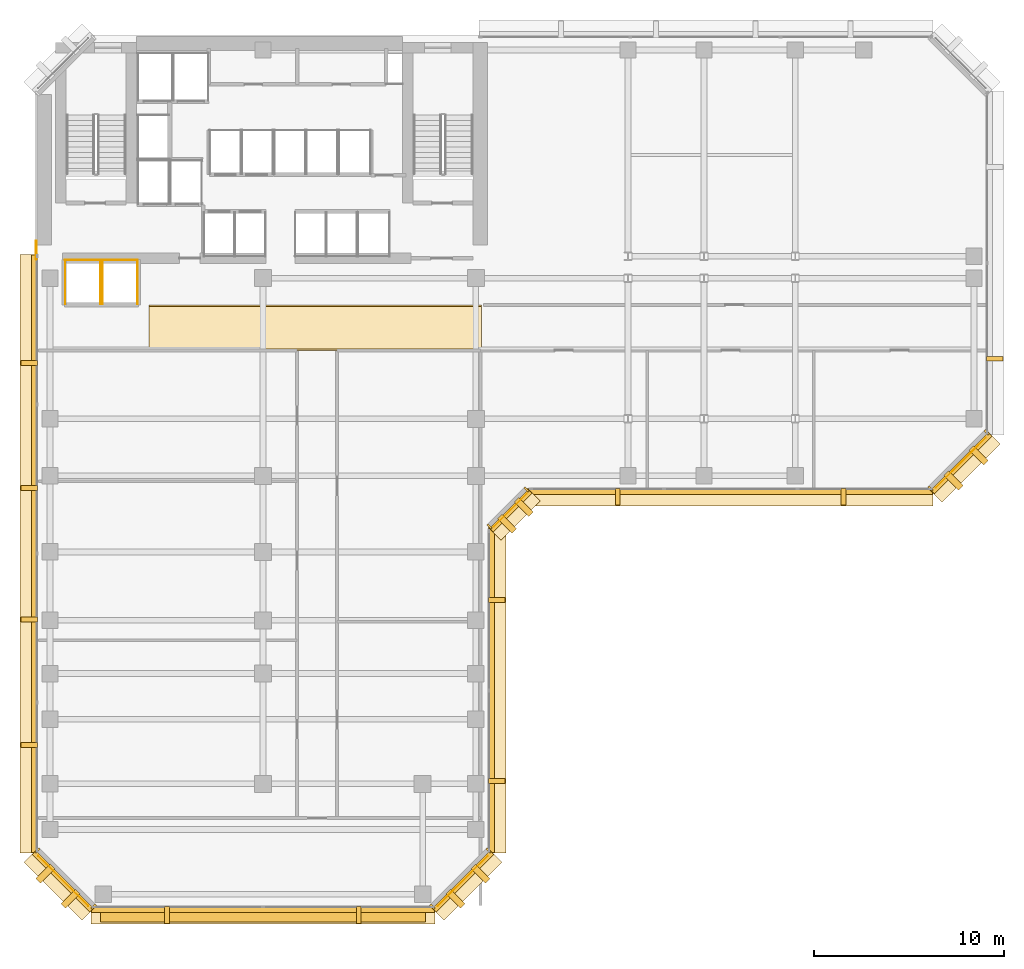
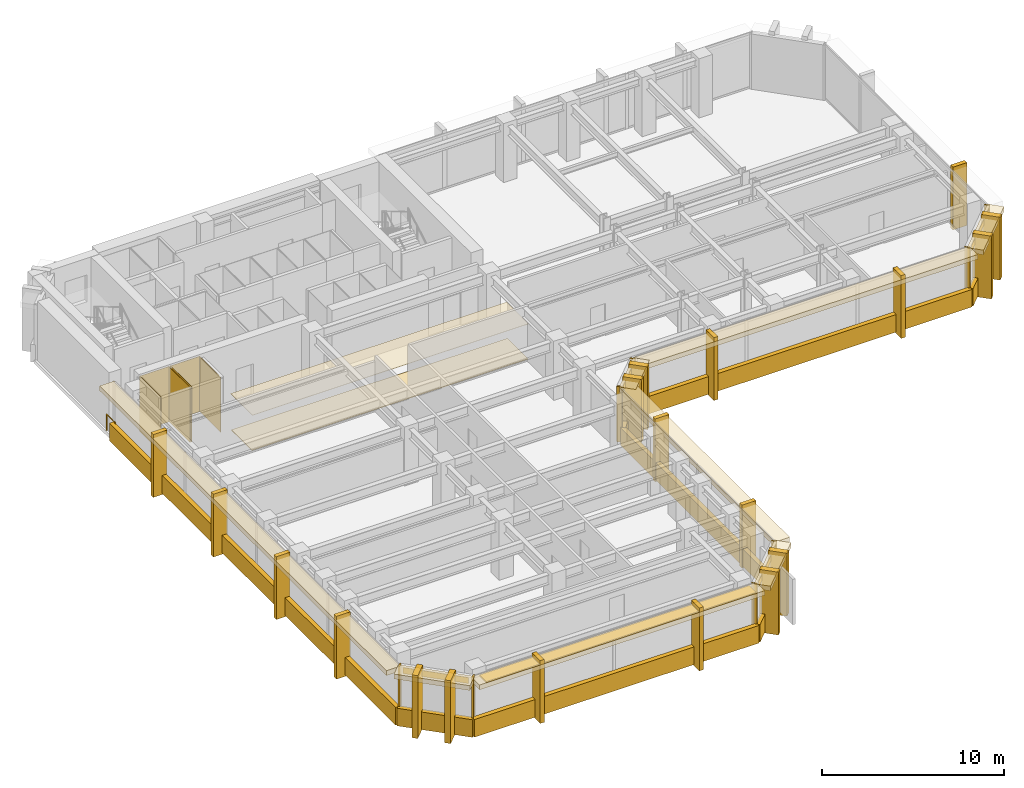
# One storey, part 9 of 12: 55 coverings, 1 railing, 1 shading device.
"""IFC4 building model written with IfcOpenShell, lengths in metres."""

from ifc_helpers import new_model, si_unit, direction, frame, origin, origin_2d, place, context, subcontext, project, spatial, polyline, rectangle, circle, outline, extrude, material, layer, layer_set, type_object, element, save


model = new_model("IFC4")

# Units and contexts
model_context = context("Model", 3, precision=1e-05, world=origin(), true_north=direction((0.0, 1.0)))
body_context = subcontext(model_context, "Body", "Model", "MODEL_VIEW")
ifc_project = project(units=[si_unit("LENGTHUNIT", "METRE"), si_unit("AREAUNIT", "SQUARE_METRE"), si_unit("VOLUMEUNIT", "CUBIC_METRE"), si_unit("PLANEANGLEUNIT", "RADIAN"), si_unit("MASSUNIT", "GRAM", prefix="KILO")], contexts=[model_context])

# Site, building, storey
site_placement = place(None, origin())
site = spatial("IfcSite", under=ifc_project, at=site_placement, CompositionType="ELEMENT")
building_placement = place(site_placement, origin())
building = spatial("IfcBuilding", under=site, at=building_placement, Name="Kefirva Bronze Tower", CompositionType="ELEMENT")
storey_placement = place(building_placement, frame((0.0, 0.0, 114.510009765625)))
storey = spatial("IfcBuildingStorey", under=building, at=storey_placement, Name="L27", CompositionType="ELEMENT", Elevation=114.510009765625)

# Coverings
ifc_material_1 = material(Name="Acoustic mineral tile")
ifc_layer_1 = layer(ifc_material_1, 0.02490234375, Name="Acoustic mineral tile")
ifc_layer_set_1 = layer_set([ifc_layer_1], Name="Acoustic mineral tile")
covering_type_1 = type_object("IfcCoveringType", Name="Acoustic Mineral Suspended Ceiling 25mm", PredefinedType="CEILING", material=ifc_layer_set_1)
covering_1_placement = place(storey_placement, frame((0.0, 0.0, 2.39990234375)))
element("IfcCovering", 1, at=covering_1_placement, inside=storey, type_object=covering_type_1, Name="L27 Corridor Acoustic Ceiling", PredefinedType="CEILING", context=body_context, shape_type="SweptSolid", body=[
    extrude(outline(polyline([(6.0, 29.39990234375), (23.5, 29.39990234375), (23.5, 31.800048828125), (6.0, 31.800048828125), (6.0, 29.39990234375)])), origin(), (0.0, 0.0, 1.0), 0.025146484375),
])
ifc_material_2 = material(Name="Bronze anodised aluminium", Category="aluminium")
ifc_layer_2 = layer(ifc_material_2, 0.02001953125, Name="Bronze anodised aluminium")
ifc_layer_set_2 = layer_set([ifc_layer_2], Name="Bronze anodised aluminium")
covering_type_2 = type_object("IfcCoveringType", Name="Anodised Bronze Spandrel Cladding 20mm", PredefinedType="CLADDING", material=ifc_layer_set_2)
covering_2_placement = place(storey_placement, frame((12.0, -0.0400390625, -0.16015625), z_axis=(0.0, 0.0, 1.0), x_axis=(1.0, 0.0, 0.0)))
element("IfcCovering", 2, at=covering_2_placement, inside=storey, type_object=covering_type_2, Name="L27 Streamline Horizontal Spandrel Band 0", PredefinedType="CLADDING", context=body_context, shape_type="SweptSolid", body=[
    extrude(rectangle(XDim=18.0400390625, YDim=0.280029296875, at=origin_2d()), origin(), (0.0, 0.0, 1.0), 1.179931640625),
])
covering_3_placement = place(storey_placement, frame((22.507080078125, 1.492919921875, 3.2900390625), z_axis=(0.0, 0.0, 1.0), x_axis=(0.707106781187, 0.707106781187, 0.0)))
element("IfcCovering", 3, at=covering_3_placement, inside=storey, type_object=covering_type_2, Name="L27 Bronze Spandrel Cladding 1", PredefinedType="CLADDING", context=body_context, shape_type="SweptSolid", body=[
    extrude(rectangle(XDim=3.719482421875, YDim=0.02001953125, at=origin_2d()), origin(), (0.0, 0.0, 1.0), 0.39990234375),
])
for number, where, z_axis, x_axis, name in (
    (4, (20.91162109375, 0.137939453125, 0.0), (0.0, 0.0, 1.0), (0.707106781187, 0.707106781187, 0.0), "L27 Facade Joint Closure Panel 1S"),
    (5, (23.862060546875, 3.08837890625, 0.0), (0.0, 0.0, 1.0), (0.707106781187, 0.707106781187, 0.0), "L27 Facade Joint Closure Panel 1E"),
):
    element("IfcCovering", number, at=place(storey_placement, frame(where, z_axis=z_axis, x_axis=x_axis)), inside=storey, type_object=covering_type_2, Name=name, PredefinedType="CLADDING", context=body_context, shape_type="SweptSolid", body=[
        extrude(rectangle(XDim=0.10009765625, YDim=0.320068359375, at=origin_2d()), origin(), (0.0, 0.0, 1.0), 3.7099609375),
    ])
covering_4_placement = place(storey_placement, frame((22.5283203125, 1.4716796875, -0.16015625), z_axis=(0.0, 0.0, 1.0), x_axis=(0.707106781187, 0.707106781187, 0.0)))
element("IfcCovering", 6, at=covering_4_placement, inside=storey, type_object=covering_type_2, Name="L27 Streamline Horizontal Spandrel Band 1", PredefinedType="CLADDING", context=body_context, shape_type="SweptSolid", body=[
    extrude(rectangle(XDim=4.28271484375, YDim=0.280029296875, at=origin_2d()), origin(), (0.0, 0.0, 1.0), 1.179931640625),
])
covering_5_placement = place(storey_placement, frame((24.0400390625, 11.5, -0.16015625), z_axis=(0.0, 0.0, 1.0), x_axis=(0.0, 1.0, 0.0)))
element("IfcCovering", 7, at=covering_5_placement, inside=storey, type_object=covering_type_2, Name="L27 Streamline Horizontal Spandrel Band 2", PredefinedType="CLADDING", context=body_context, shape_type="SweptSolid", body=[
    extrude(rectangle(XDim=17.0400390625, YDim=0.280029296875, at=origin_2d()), origin(), (0.0, 0.0, 1.0), 1.179931640625),
])
covering_6_placement = place(storey_placement, frame((25.007080078125, 20.992919921875, 3.2900390625), z_axis=(0.0, 0.0, 1.0), x_axis=(0.707106781187, 0.707106781187, 0.0)))
element("IfcCovering", 8, at=covering_6_placement, inside=storey, type_object=covering_type_2, Name="L27 Bronze Spandrel Cladding 2", PredefinedType="CLADDING", context=body_context, shape_type="SweptSolid", body=[
    extrude(rectangle(XDim=2.446533203125, YDim=0.02001953125, at=origin_2d()), origin(), (0.0, 0.0, 1.0), 0.39990234375),
])
for number, where, z_axis, x_axis, name in (
    (9, (23.91162109375, 20.137939453125, 0.0), (0.0, 0.0, 1.0), (0.707106781187, 0.707106781187, 0.0), "L27 Facade Joint Closure Panel 2S"),
    (10, (25.862060546875, 22.08837890625, 0.0), (0.0, 0.0, 1.0), (0.707106781187, 0.707106781187, 0.0), "L27 Facade Joint Closure Panel 2E"),
):
    element("IfcCovering", number, at=place(storey_placement, frame(where, z_axis=z_axis, x_axis=x_axis)), inside=storey, type_object=covering_type_2, Name=name, PredefinedType="CLADDING", context=body_context, shape_type="SweptSolid", body=[
        extrude(rectangle(XDim=0.10009765625, YDim=0.320068359375, at=origin_2d()), origin(), (0.0, 0.0, 1.0), 3.7099609375),
    ])
covering_7_placement = place(storey_placement, frame((25.0283203125, 20.9716796875, -0.16015625), z_axis=(0.0, 0.0, 1.0), x_axis=(0.707106781187, 0.707106781187, 0.0)))
element("IfcCovering", 11, at=covering_7_placement, inside=storey, type_object=covering_type_2, Name="L27 Streamline Horizontal Spandrel Band 3", PredefinedType="CLADDING", context=body_context, shape_type="SweptSolid", body=[
    extrude(rectangle(XDim=2.868408203125, YDim=0.280029296875, at=origin_2d()), origin(), (0.0, 0.0, 1.0), 1.179931640625),
])
covering_8_placement = place(storey_placement, frame((36.60009765625, 21.9599609375, -0.16015625), z_axis=(0.0, 0.0, 1.0), x_axis=(1.0, 0.0, 0.0)))
element("IfcCovering", 12, at=covering_8_placement, inside=storey, type_object=covering_type_2, Name="L27 Streamline Horizontal Spandrel Band 4", PredefinedType="CLADDING", context=body_context, shape_type="SweptSolid", body=[
    extrude(rectangle(XDim=21.239990234375, YDim=0.280029296875, at=origin_2d()), origin(), (0.0, 0.0, 1.0), 1.179931640625),
])
covering_9_placement = place(storey_placement, frame((48.70703125, 23.492919921875, 3.2900390625), z_axis=(0.0, 0.0, 1.0), x_axis=(0.707106781187, 0.707106781187, 0.0)))
element("IfcCovering", 13, at=covering_9_placement, inside=storey, type_object=covering_type_2, Name="L27 Bronze Spandrel Cladding 3", PredefinedType="CLADDING", context=body_context, shape_type="SweptSolid", body=[
    extrude(rectangle(XDim=3.719482421875, YDim=0.02001953125, at=origin_2d()), origin(), (0.0, 0.0, 1.0), 0.39990234375),
])
for number, where, z_axis, x_axis, name in (
    (14, (47.11181640625, 22.137939453125, 0.0), (0.0, 0.0, 1.0), (0.707106781187, 0.707106781187, 0.0), "L27 Facade Joint Closure Panel 3S"),
    (15, (50.06201171875, 25.08837890625, 0.0), (0.0, 0.0, 1.0), (0.707106781187, 0.707106781187, 0.0), "L27 Facade Joint Closure Panel 3E"),
):
    element("IfcCovering", number, at=place(storey_placement, frame(where, z_axis=z_axis, x_axis=x_axis)), inside=storey, type_object=covering_type_2, Name=name, PredefinedType="CLADDING", context=body_context, shape_type="SweptSolid", body=[
        extrude(rectangle(XDim=0.10009765625, YDim=0.320068359375, at=origin_2d()), origin(), (0.0, 0.0, 1.0), 3.7099609375),
    ])
covering_10_placement = place(storey_placement, frame((48.728271484375, 23.4716796875, -0.16015625), z_axis=(0.0, 0.0, 1.0), x_axis=(0.707106781187, 0.707106781187, 0.0)))
element("IfcCovering", 16, at=covering_10_placement, inside=storey, type_object=covering_type_2, Name="L27 Streamline Horizontal Spandrel Band 5", PredefinedType="CLADDING", context=body_context, shape_type="SweptSolid", body=[
    extrude(rectangle(XDim=4.28271484375, YDim=0.280029296875, at=origin_2d()), origin(), (0.0, 0.0, 1.0), 1.179931640625),
])
covering_11_placement = place(storey_placement, frame((-0.0400390625, 18.697509765625, -0.16015625), z_axis=(0.0, 0.0, 1.0), x_axis=(0.0, -1.0, 0.0)))
element("IfcCovering", 17, at=covering_11_placement, inside=storey, type_object=covering_type_2, Name="L27 Streamline Horizontal Spandrel Band 10", PredefinedType="CLADDING", context=body_context, shape_type="SweptSolid", body=[
    extrude(rectangle(XDim=31.43505859375, YDim=0.280029296875, at=origin_2d()), origin(), (0.0, 0.0, 1.0), 1.179931640625),
])
covering_12_placement = place(storey_placement, frame((1.492919921875, 1.492919921875, 3.2900390625), z_axis=(0.0, 0.0, 1.0), x_axis=(0.707106781187, -0.707106781187, 0.0)))
element("IfcCovering", 18, at=covering_12_placement, inside=storey, type_object=covering_type_2, Name="L27 Bronze Spandrel Cladding 6", PredefinedType="CLADDING", context=body_context, shape_type="SweptSolid", body=[
    extrude(rectangle(XDim=3.719482421875, YDim=0.02001953125, at=origin_2d()), origin(), (0.0, 0.0, 1.0), 0.39990234375),
])
for number, where, z_axis, x_axis, name in (
    (19, (0.137939453125, 3.08837890625, 0.0), (0.0, 0.0, 1.0), (0.707106781187, -0.707106781187, 0.0), "L27 Facade Joint Closure Panel 6S"),
    (20, (3.08837890625, 0.137939453125, 0.0), (0.0, 0.0, 1.0), (0.707106781187, -0.707106781187, 0.0), "L27 Facade Joint Closure Panel 6E"),
):
    element("IfcCovering", number, at=place(storey_placement, frame(where, z_axis=z_axis, x_axis=x_axis)), inside=storey, type_object=covering_type_2, Name=name, PredefinedType="CLADDING", context=body_context, shape_type="SweptSolid", body=[
        extrude(rectangle(XDim=0.10009765625, YDim=0.320068359375, at=origin_2d()), origin(), (0.0, 0.0, 1.0), 3.7099609375),
    ])
covering_13_placement = place(storey_placement, frame((1.4716796875, 1.4716796875, -0.16015625), z_axis=(0.0, 0.0, 1.0), x_axis=(0.707106781187, -0.707106781187, 0.0)))
element("IfcCovering", 21, at=covering_13_placement, inside=storey, type_object=covering_type_2, Name="L27 Streamline Horizontal Spandrel Band 11", PredefinedType="CLADDING", context=body_context, shape_type="SweptSolid", body=[
    extrude(rectangle(XDim=4.28271484375, YDim=0.280029296875, at=origin_2d()), origin(), (0.0, 0.0, 1.0), 1.179931640625),
])
covering_14_placement = place(storey_placement, origin())
element("IfcCovering", 22, at=covering_14_placement, inside=storey, type_object=covering_type_2, Name="L27 Lift OB1 Hoistway Liner N", PredefinedType="CLADDING", context=body_context, shape_type="SweptSolid", body=[
    extrude(outline(polyline([(1.580078125, 34.139892578125), (3.469970703125, 34.139892578125), (3.469970703125, 34.159912109375), (1.580078125, 34.159912109375), (1.580078125, 34.139892578125)])), origin(), (0.0, 0.0, 1.0), 3.7099609375),
])
covering_15_placement = place(storey_placement, origin())
element("IfcCovering", 23, at=covering_15_placement, inside=storey, type_object=covering_type_2, Name="L27 Lift OB1 Hoistway Liner W", PredefinedType="CLADDING", context=body_context, shape_type="SweptSolid", body=[
    extrude(outline(polyline([(1.590087890625, 31.830078125), (1.610107421875, 31.830078125), (1.610107421875, 34.169921875), (1.590087890625, 34.169921875), (1.590087890625, 31.830078125)])), origin(), (0.0, 0.0, 1.0), 3.7099609375),
])
covering_16_placement = place(storey_placement, origin())
element("IfcCovering", 24, at=covering_16_placement, inside=storey, type_object=covering_type_2, Name="L27 Lift OB1 Hoistway Liner E", PredefinedType="CLADDING", context=body_context, shape_type="SweptSolid", body=[
    extrude(outline(polyline([(3.43994140625, 31.830078125), (3.4599609375, 31.830078125), (3.4599609375, 34.169921875), (3.43994140625, 34.169921875), (3.43994140625, 31.830078125)])), origin(), (0.0, 0.0, 1.0), 3.7099609375),
])
covering_17_placement = place(storey_placement, origin())
element("IfcCovering", 25, at=covering_17_placement, inside=storey, type_object=covering_type_2, Name="L27 Lift OB2 Hoistway Liner N", PredefinedType="CLADDING", context=body_context, shape_type="SweptSolid", body=[
    extrude(outline(polyline([(3.530029296875, 34.139892578125), (5.419921875, 34.139892578125), (5.419921875, 34.159912109375), (3.530029296875, 34.159912109375), (3.530029296875, 34.139892578125)])), origin(), (0.0, 0.0, 1.0), 3.7099609375),
])
covering_18_placement = place(storey_placement, origin())
element("IfcCovering", 26, at=covering_18_placement, inside=storey, type_object=covering_type_2, Name="L27 Lift OB2 Hoistway Liner W", PredefinedType="CLADDING", context=body_context, shape_type="SweptSolid", body=[
    extrude(outline(polyline([(3.5400390625, 31.830078125), (3.56005859375, 31.830078125), (3.56005859375, 34.169921875), (3.5400390625, 34.169921875), (3.5400390625, 31.830078125)])), origin(), (0.0, 0.0, 1.0), 3.7099609375),
])
covering_19_placement = place(storey_placement, origin())
element("IfcCovering", 27, at=covering_19_placement, inside=storey, type_object=covering_type_2, Name="L27 Lift OB2 Hoistway Liner E", PredefinedType="CLADDING", context=body_context, shape_type="SweptSolid", body=[
    extrude(outline(polyline([(5.389892578125, 31.830078125), (5.409912109375, 31.830078125), (5.409912109375, 34.169921875), (5.389892578125, 34.169921875), (5.389892578125, 31.830078125)])), origin(), (0.0, 0.0, 1.0), 3.7099609375),
])

# Shading device
ifc_layer_3 = layer(ifc_material_2, 0.090087890625, Name="Bronze anodised aluminium")
ifc_layer_set_3 = layer_set([ifc_layer_3], Name="Bronze anodised aluminium")
shading_device_type = type_object("IfcShadingDeviceType", Name="Horizontal Bronze Sunshade Band 750mm", PredefinedType="JALOUSIE", material=ifc_layer_set_3)
shading_device_placement = place(storey_placement, frame((12.0, -0.294921875, 3.60498046875), z_axis=(0.0, 0.0, 1.0), x_axis=(1.0, 0.0, 0.0)))
element("IfcShadingDevice", 28, at=shading_device_placement, inside=storey, type_object=shading_device_type, Name="L27 Horizontal Bronze Sunshade Band 0", PredefinedType="JALOUSIE", context=body_context, shape_type="SweptSolid", body=[
    extrude(rectangle(XDim=17.090087890625, YDim=0.75, at=origin_2d()), origin(), (0.0, 0.0, 1.0), 0.090087890625),
])

# Railing
ifc_material_3 = material(Name="Stainless steel 316", Category="steel")
railing_type = type_object("IfcRailingType", Name="Interior Stair Guardrail 1100mm", PredefinedType="GUARDRAIL", material=ifc_material_3)
railing_placement = place(storey_placement, frame((0.080078125, 34.199951171875, 0.0)))
element("IfcRailing", 29, at=railing_placement, inside=storey, type_object=railing_type, Name="L27 West Core Junction Guardrail", PredefinedType="GUARDRAIL", context=body_context, shape_type="SweptSolid", body=[
    extrude(circle(Radius=0.02392578125, at=origin_2d()), frame((0.0, 0.0, 1.076171875), z_axis=(0.0, 1.0, 0.0), x_axis=(-1.0, 0.0, 0.0)), (0.0, 0.0, 1.0), 0.949951171875),
    extrude(circle(Radius=0.02099609375, at=origin_2d()), origin(), (0.0, 0.0, 1.0), 1.052001953125),
    extrude(circle(Radius=0.02099609375, at=origin_2d()), frame((0.0, 0.949951171875, 0.0)), (0.0, 0.0, 1.0), 1.052001953125),
])

# Coverings
ifc_material_4 = material(Name="Calcium sulphate access tile")
ifc_layer_4 = layer(ifc_material_4, 0.044921875, Name="Calcium sulphate access tile")
ifc_layer_set_4 = layer_set([ifc_layer_4], Name="Calcium sulphate access tile")
covering_type_3 = type_object("IfcCoveringType", Name="Raised Access Office Flooring 45mm", PredefinedType="FLOORING", material=ifc_layer_set_4)
covering_20_placement = place(storey_placement, origin())
element("IfcCovering", 30, at=covering_20_placement, inside=storey, type_object=covering_type_3, Name="L27 Architectural Finish Flooring", PredefinedType="FLOORING", context=body_context, shape_type="SweptSolid", body=[
    extrude(outline(polyline([(6.0, 29.47998046875), (23.5, 29.47998046875), (23.5, 31.719970703125), (6.0, 31.719970703125), (6.0, 29.47998046875)])), origin(), (0.0, 0.0, 1.0), 0.044921875),
])
ifc_layer_5 = layer(ifc_material_2, 0.179931640625, Name="Bronze anodised aluminium")
ifc_layer_set_5 = layer_set([ifc_layer_5], Name="Bronze anodised aluminium")
covering_type_4 = type_object("IfcCoveringType", Name="Streamline Bronze Sunshade Eyebrow Cladding 180mm", PredefinedType="CLADDING", material=ifc_layer_set_5)
covering_21_placement = place(storey_placement, frame((12.0, -0.31005859375, 3.39013671875), z_axis=(0.0, 0.0, 1.0), x_axis=(1.0, 0.0, 0.0)))
element("IfcCovering", 31, at=covering_21_placement, inside=storey, type_object=covering_type_4, Name="L27 Streamline Bronze Sunshade Eyebrow 0", PredefinedType="CLADDING", context=body_context, shape_type="SweptSolid", body=[
    extrude(rectangle(XDim=18.080078125, YDim=0.93994140625, at=origin_2d()), origin(), (0.0, 0.0, 1.0), 0.320068359375),
])
covering_22_placement = place(storey_placement, frame((22.71923828125, 1.28076171875, 3.39013671875), z_axis=(0.0, 0.0, 1.0), x_axis=(0.707106781187, 0.707106781187, 0.0)))
element("IfcCovering", 32, at=covering_22_placement, inside=storey, type_object=covering_type_4, Name="L27 Streamline Bronze Sunshade Eyebrow 1", PredefinedType="CLADDING", context=body_context, shape_type="SweptSolid", body=[
    extrude(rectangle(XDim=4.322509765625, YDim=0.93994140625, at=origin_2d()), origin(), (0.0, 0.0, 1.0), 0.320068359375),
])
covering_23_placement = place(storey_placement, frame((24.31005859375, 11.5, 3.39013671875), z_axis=(0.0, 0.0, 1.0), x_axis=(0.0, 1.0, 0.0)))
element("IfcCovering", 33, at=covering_23_placement, inside=storey, type_object=covering_type_4, Name="L27 Streamline Bronze Sunshade Eyebrow 2", PredefinedType="CLADDING", context=body_context, shape_type="SweptSolid", body=[
    extrude(rectangle(XDim=17.080078125, YDim=0.93994140625, at=origin_2d()), origin(), (0.0, 0.0, 1.0), 0.320068359375),
])
covering_24_placement = place(storey_placement, frame((25.21923828125, 20.78076171875, 3.39013671875), z_axis=(0.0, 0.0, 1.0), x_axis=(0.707106781187, 0.707106781187, 0.0)))
element("IfcCovering", 34, at=covering_24_placement, inside=storey, type_object=covering_type_4, Name="L27 Streamline Bronze Sunshade Eyebrow 3", PredefinedType="CLADDING", context=body_context, shape_type="SweptSolid", body=[
    extrude(rectangle(XDim=2.908447265625, YDim=0.93994140625, at=origin_2d()), origin(), (0.0, 0.0, 1.0), 0.320068359375),
])
covering_25_placement = place(storey_placement, frame((36.60009765625, 21.68994140625, 3.39013671875), z_axis=(0.0, 0.0, 1.0), x_axis=(1.0, 0.0, 0.0)))
element("IfcCovering", 35, at=covering_25_placement, inside=storey, type_object=covering_type_4, Name="L27 Streamline Bronze Sunshade Eyebrow 4", PredefinedType="CLADDING", context=body_context, shape_type="SweptSolid", body=[
    extrude(rectangle(XDim=21.280029296875, YDim=0.93994140625, at=origin_2d()), origin(), (0.0, 0.0, 1.0), 0.320068359375),
])
covering_26_placement = place(storey_placement, frame((48.919189453125, 23.28076171875, 3.39013671875), z_axis=(0.0, 0.0, 1.0), x_axis=(0.707106781187, 0.707106781187, 0.0)))
element("IfcCovering", 36, at=covering_26_placement, inside=storey, type_object=covering_type_4, Name="L27 Streamline Bronze Sunshade Eyebrow 5", PredefinedType="CLADDING", context=body_context, shape_type="SweptSolid", body=[
    extrude(rectangle(XDim=4.322509765625, YDim=0.93994140625, at=origin_2d()), origin(), (0.0, 0.0, 1.0), 0.320068359375),
])
covering_27_placement = place(storey_placement, frame((-0.31005859375, 18.697509765625, 3.39013671875), z_axis=(0.0, 0.0, 1.0), x_axis=(0.0, -1.0, 0.0)))
element("IfcCovering", 37, at=covering_27_placement, inside=storey, type_object=covering_type_4, Name="L27 Streamline Bronze Sunshade Eyebrow 10", PredefinedType="CLADDING", context=body_context, shape_type="SweptSolid", body=[
    extrude(rectangle(XDim=31.47509765625, YDim=0.93994140625, at=origin_2d()), origin(), (0.0, 0.0, 1.0), 0.320068359375),
])
covering_28_placement = place(storey_placement, frame((1.28076171875, 1.28076171875, 3.39013671875), z_axis=(0.0, 0.0, 1.0), x_axis=(0.707106781187, -0.707106781187, 0.0)))
element("IfcCovering", 38, at=covering_28_placement, inside=storey, type_object=covering_type_4, Name="L27 Streamline Bronze Sunshade Eyebrow 11", PredefinedType="CLADDING", context=body_context, shape_type="SweptSolid", body=[
    extrude(rectangle(XDim=4.322509765625, YDim=0.93994140625, at=origin_2d()), origin(), (0.0, 0.0, 1.0), 0.320068359375),
])
ifc_layer_6 = layer(ifc_material_2, 0.260009765625, Name="Bronze anodised aluminium")
ifc_layer_set_6 = layer_set([ifc_layer_6], Name="Bronze anodised aluminium")
covering_type_5 = type_object("IfcCoveringType", Name="Unbroken Bronze Buttress Fin Cladding 260mm", PredefinedType="CLADDING", material=ifc_layer_set_6)
for number, where, z_axis, x_axis, name in (
    (39, (6.9599609375, -0.300048828125, -0.25), (0.0, 0.0, 1.0), (1.0, 0.0, 0.0), "L27 Unbroken Vertical Bronze Rib Fin 1"),
    (40, (17.0400390625, -0.300048828125, -0.25), (0.0, 0.0, 1.0), (1.0, 0.0, 0.0), "L27 Unbroken Vertical Bronze Rib Fin 2"),
):
    element("IfcCovering", number, at=place(storey_placement, frame(where, z_axis=z_axis, x_axis=x_axis)), inside=storey, type_object=covering_type_5, Name=name, PredefinedType="CLADDING", context=body_context, shape_type="SweptSolid", body=[
        extrude(rectangle(XDim=0.260009765625, YDim=0.8798828125, at=origin_2d()), origin(), (0.0, 0.0, 1.0), 4.2099609375),
    ])
for number, where, z_axis, x_axis, name in (
    (41, (22.122802734375, 0.55712890625, -0.25), (0.0, 0.0, 1.0), (0.707106781187, 0.707106781187, 0.0), "L27 Chamfered Corner Buttress Fin Cladding 3"),
    (42, (23.44287109375, 1.877197265625, -0.25), (0.0, 0.0, 1.0), (0.707106781187, 0.707106781187, 0.0), "L27 Chamfered Corner Buttress Fin Cladding 4"),
):
    element("IfcCovering", number, at=place(storey_placement, frame(where, z_axis=z_axis, x_axis=x_axis)), inside=storey, type_object=covering_type_5, Name=name, PredefinedType="CLADDING", context=body_context, shape_type="SweptSolid", body=[
        extrude(rectangle(XDim=0.340087890625, YDim=1.080078125, at=origin_2d()), origin(), (0.0, 0.0, 1.0), 4.2099609375),
    ])
for number, where, z_axis, x_axis, name in (
    (43, (24.300048828125, 6.739990234375, -0.25), (0.0, 0.0, 1.0), (0.0, 1.0, 0.0), "L27 Unbroken Vertical Bronze Rib Fin 5"),
    (44, (24.300048828125, 16.260009765625, -0.25), (0.0, 0.0, 1.0), (0.0, 1.0, 0.0), "L27 Unbroken Vertical Bronze Rib Fin 6"),
):
    element("IfcCovering", number, at=place(storey_placement, frame(where, z_axis=z_axis, x_axis=x_axis)), inside=storey, type_object=covering_type_5, Name=name, PredefinedType="CLADDING", context=body_context, shape_type="SweptSolid", body=[
        extrude(rectangle(XDim=0.260009765625, YDim=0.8798828125, at=origin_2d()), origin(), (0.0, 0.0, 1.0), 4.2099609375),
    ])
for number, where, z_axis, x_axis, name in (
    (45, (24.8427734375, 20.277099609375, -0.25), (0.0, 0.0, 1.0), (0.707106781187, 0.707106781187, 0.0), "L27 Chamfered Corner Buttress Fin Cladding 7"),
    (46, (25.722900390625, 21.1572265625, -0.25), (0.0, 0.0, 1.0), (0.707106781187, 0.707106781187, 0.0), "L27 Chamfered Corner Buttress Fin Cladding 8"),
):
    element("IfcCovering", number, at=place(storey_placement, frame(where, z_axis=z_axis, x_axis=x_axis)), inside=storey, type_object=covering_type_5, Name=name, PredefinedType="CLADDING", context=body_context, shape_type="SweptSolid", body=[
        extrude(rectangle(XDim=0.340087890625, YDim=1.080078125, at=origin_2d()), origin(), (0.0, 0.0, 1.0), 4.2099609375),
    ])
for number, where, z_axis, x_axis, name in (
    (47, (30.6640625, 21.699951171875, -0.25), (0.0, 0.0, 1.0), (1.0, 0.0, 0.0), "L27 Unbroken Vertical Bronze Rib Fin 9"),
    (48, (42.535888671875, 21.699951171875, -0.25), (0.0, 0.0, 1.0), (1.0, 0.0, 0.0), "L27 Unbroken Vertical Bronze Rib Fin 10"),
):
    element("IfcCovering", number, at=place(storey_placement, frame(where, z_axis=z_axis, x_axis=x_axis)), inside=storey, type_object=covering_type_5, Name=name, PredefinedType="CLADDING", context=body_context, shape_type="SweptSolid", body=[
        extrude(rectangle(XDim=0.260009765625, YDim=0.8798828125, at=origin_2d()), origin(), (0.0, 0.0, 1.0), 4.2099609375),
    ])
for number, where, z_axis, x_axis, name in (
    (49, (48.32275390625, 22.55712890625, -0.25), (0.0, 0.0, 1.0), (0.707106781187, 0.707106781187, 0.0), "L27 Chamfered Corner Buttress Fin Cladding 11"),
    (50, (49.642822265625, 23.877197265625, -0.25), (0.0, 0.0, 1.0), (0.707106781187, 0.707106781187, 0.0), "L27 Chamfered Corner Buttress Fin Cladding 12"),
):
    element("IfcCovering", number, at=place(storey_placement, frame(where, z_axis=z_axis, x_axis=x_axis)), inside=storey, type_object=covering_type_5, Name=name, PredefinedType="CLADDING", context=body_context, shape_type="SweptSolid", body=[
        extrude(rectangle(XDim=0.340087890625, YDim=1.080078125, at=origin_2d()), origin(), (0.0, 0.0, 1.0), 4.2099609375),
    ])
for number, where, z_axis, x_axis, name in (
    (51, (50.5, 28.9599609375, -0.25), (0.0, 0.0, 1.0), (0.0, 1.0, 0.0), "L27 Unbroken Vertical Bronze Rib Fin 13"),
    (52, (-0.300048828125, 28.743896484375, -0.25), (0.0, 0.0, 1.0), (0.0, -1.0, 0.0), "L27 Unbroken Vertical Bronze Rib Fin 23"),
    (53, (-0.300048828125, 22.15087890625, -0.25), (0.0, 0.0, 1.0), (0.0, -1.0, 0.0), "L27 Unbroken Vertical Bronze Rib Fin 24"),
    (54, (-0.300048828125, 15.244140625, -0.25), (0.0, 0.0, 1.0), (0.0, -1.0, 0.0), "L27 Unbroken Vertical Bronze Rib Fin 25"),
    (55, (-0.300048828125, 8.651123046875, -0.25), (0.0, 0.0, 1.0), (0.0, -1.0, 0.0), "L27 Unbroken Vertical Bronze Rib Fin 26"),
):
    element("IfcCovering", number, at=place(storey_placement, frame(where, z_axis=z_axis, x_axis=x_axis)), inside=storey, type_object=covering_type_5, Name=name, PredefinedType="CLADDING", context=body_context, shape_type="SweptSolid", body=[
        extrude(rectangle(XDim=0.260009765625, YDim=0.8798828125, at=origin_2d()), origin(), (0.0, 0.0, 1.0), 4.2099609375),
    ])
for number, where, z_axis, x_axis, name in (
    (56, (0.55712890625, 1.877197265625, -0.25), (0.0, 0.0, 1.0), (0.707106781187, -0.707106781187, 0.0), "L27 Chamfered Corner Buttress Fin Cladding 27"),
    (57, (1.877197265625, 0.55712890625, -0.25), (0.0, 0.0, 1.0), (0.707106781187, -0.707106781187, 0.0), "L27 Chamfered Corner Buttress Fin Cladding 28"),
):
    element("IfcCovering", number, at=place(storey_placement, frame(where, z_axis=z_axis, x_axis=x_axis)), inside=storey, type_object=covering_type_5, Name=name, PredefinedType="CLADDING", context=body_context, shape_type="SweptSolid", body=[
        extrude(rectangle(XDim=0.340087890625, YDim=1.080078125, at=origin_2d()), origin(), (0.0, 0.0, 1.0), 4.2099609375),
    ])

save(model, "model.ifc")
